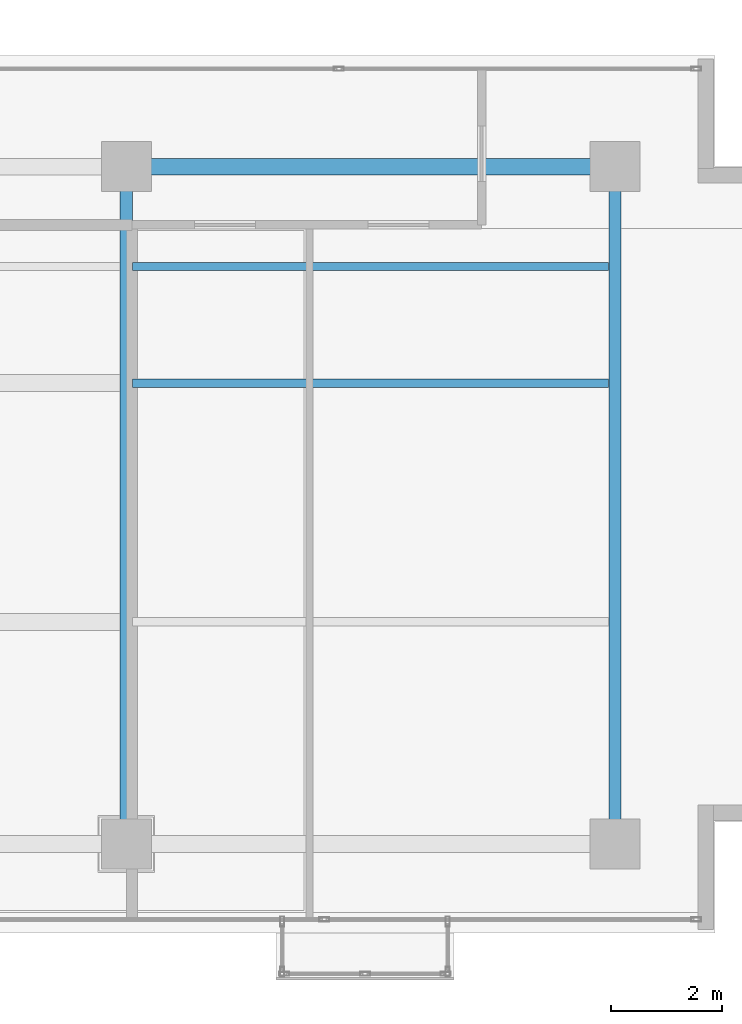
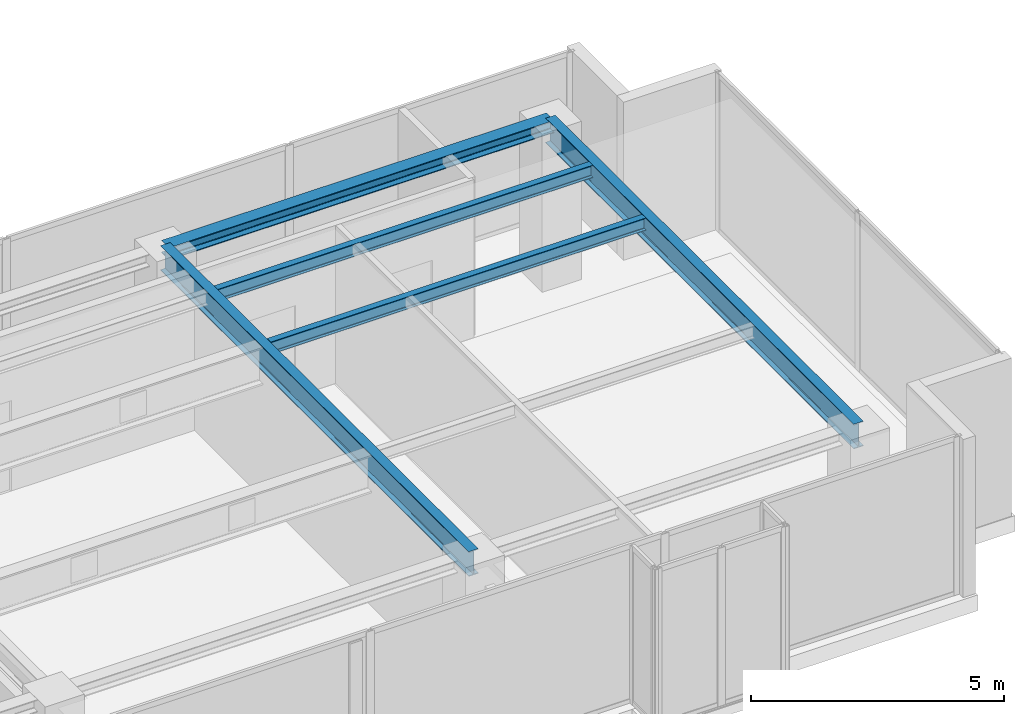
# One storey, part 17 of 32: 5 beams.
"""IFC4 building model written with IfcOpenShell, lengths in metres."""

from ifc_helpers import new_model, si_unit, direction, frame, origin, origin_2d, place, context, subcontext, project, spatial, i_section, extrude, material, material_profile, profile_set, type_object, element, save


model = new_model("IFC4")

# Units and contexts
model_context = context("Model", 3, precision=1e-05, world=origin(), true_north=direction((0.0, 1.0)))
body_context = subcontext(model_context, "Body", "Model", "MODEL_VIEW")
ifc_project = project(units=[si_unit("LENGTHUNIT", "METRE"), si_unit("AREAUNIT", "SQUARE_METRE"), si_unit("VOLUMEUNIT", "CUBIC_METRE"), si_unit("PLANEANGLEUNIT", "RADIAN"), si_unit("MASSUNIT", "GRAM", prefix="KILO")], contexts=[model_context])

# Site, building, storey
site_placement = place(None, origin())
site = spatial("IfcSite", under=ifc_project, at=site_placement, CompositionType="ELEMENT")
building_placement = place(site_placement, origin())
building = spatial("IfcBuilding", under=site, at=building_placement, Name="Kolvaren Waterfront Exchange", CompositionType="ELEMENT")
storey_placement = place(building_placement, frame((0.0, 0.0, 352.0)))
storey = spatial("IfcBuildingStorey", under=building, at=storey_placement, Name="L90", CompositionType="ELEMENT", Elevation=352.0)

# Beams
ifc_material = material(Name="Steel S355", Category="steel")
ifc_material_profile_1 = material_profile(ifc_material, i_section(OverallWidth=0.300048828125, OverallDepth=0.300048828125, WebThickness=0.010986328125, FlangeThickness=0.01904296875, FilletRadius=0.027099609375, at=origin_2d()), Name="HEB300")
ifc_profile_set_1 = profile_set([ifc_material_profile_1], Name="Steel S355")
beam_type_1 = type_object("IfcBeamType", Name="STR-BM-HEB300", PredefinedType="SPANDREL", material=ifc_profile_set_1)
beam_placement = place(storey_placement, frame((36.800048828125, 17.39990234375, 3.669921875), z_axis=(1.0, 0.0, 0.0), x_axis=(0.0, 1.0, 0.0)))
element("IfcBeam", 1, at=beam_placement, inside=storey, type_object=beam_type_1, Name="L90 east-arm spandrel N3", PredefinedType="SPANDREL", context=body_context, shape_type="SweptSolid", body=[
    extrude(i_section(OverallWidth=0.300048828125, OverallDepth=0.300048828125, WebThickness=0.010986328125, FlangeThickness=0.01904296875, FilletRadius=0.027099609375, at=origin_2d()), origin(), (0.0, 0.0, 1.0), 8.800048828125),
])
ifc_material_profile_2 = material_profile(ifc_material, i_section(OverallWidth=0.14990234375, OverallDepth=0.300048828125, WebThickness=0.007080078125, FlangeThickness=0.0107421875, FilletRadius=0.014892578125, at=origin_2d()), Name="IPE300")
ifc_profile_set_2 = profile_set([ifc_material_profile_2], Name="Steel S355")
beam_type_2 = type_object("IfcBeamType", Name="STR-BM-IPE300", PredefinedType="JOIST", material=ifc_profile_set_2)
for number, where, z_axis, x_axis, name in (
    (2, (36.912109375, 13.5, 3.669921875), (1.0, 0.0, 0.0), (0.0, 1.0, 0.0), "L90 east-arm composite joist 3A"),
    (3, (36.912109375, 15.60009765625, 3.669921875), (1.0, 0.0, 0.0), (0.0, 1.0, 0.0), "L90 east-arm composite joist 3C"),
):
    element("IfcBeam", number, at=place(storey_placement, frame(where, z_axis=z_axis, x_axis=x_axis)), inside=storey, type_object=beam_type_2, Name=name, PredefinedType="JOIST", context=body_context, shape_type="SweptSolid", body=[
        extrude(i_section(OverallWidth=0.14990234375, OverallDepth=0.300048828125, WebThickness=0.007080078125, FlangeThickness=0.0107421875, FilletRadius=0.014892578125, at=origin_2d()), origin(), (0.0, 0.0, 1.0), 8.575927734375),
    ])
ifc_material_profile_3 = material_profile(ifc_material, i_section(OverallWidth=0.219970703125, OverallDepth=0.60009765625, WebThickness=0.011962890625, FlangeThickness=0.01904296875, FilletRadius=0.02392578125, at=origin_2d()), Name="IPE600")
ifc_profile_set_3 = profile_set([ifc_material_profile_3], Name="Steel S355")
beam_type_3 = type_object("IfcBeamType", Name="STR-BM-IPE600", PredefinedType="BEAM", material=ifc_profile_set_3)
for number, where, z_axis, x_axis, name in (
    (4, (36.800048828125, 5.199951171875, 3.52001953125), (0.0, 1.0, 0.0), (-1.0, 0.0, 0.0), "L90 east-arm transverse girder X36"),
    (5, (45.60009765625, 5.199951171875, 3.52001953125), (0.0, 1.0, 0.0), (-1.0, 0.0, 0.0), "L90 east-arm transverse girder X45"),
):
    element("IfcBeam", number, at=place(storey_placement, frame(where, z_axis=z_axis, x_axis=x_axis)), inside=storey, type_object=beam_type_3, Name=name, PredefinedType="BEAM", context=body_context, shape_type="SweptSolid", body=[
        extrude(i_section(OverallWidth=0.219970703125, OverallDepth=0.60009765625, WebThickness=0.011962890625, FlangeThickness=0.01904296875, FilletRadius=0.02392578125, at=origin_2d()), origin(), (0.0, 0.0, 1.0), 12.199951171875),
    ])

save(model, "model.ifc")
